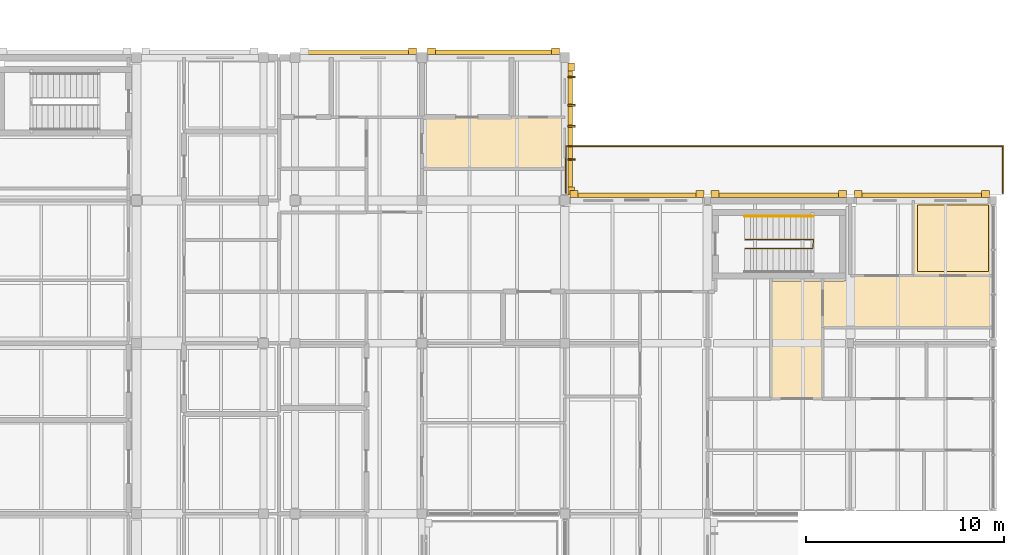
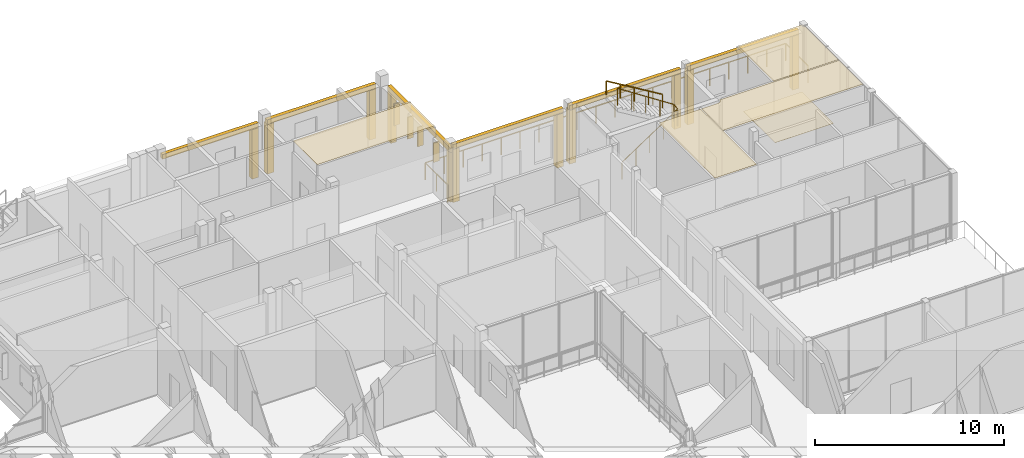
# One storey, part 145 of 146: 22 coverings, 4 shading devices, 3 railings.
"""IFC4 building model written with IfcOpenShell, lengths in metres."""

from ifc_helpers import new_model, si_unit, direction, frame, origin, origin_2d, place, context, subcontext, project, spatial, polyline, rectangle, circle, outline, extrude, material, layer, layer_set, type_object, element, save


model = new_model("IFC4")

# Units and contexts
model_context = context("Model", 3, precision=1e-05, world=origin(), true_north=direction((0.0, 1.0)))
body_context = subcontext(model_context, "Body", "Model", "MODEL_VIEW")
ifc_project = project(units=[si_unit("LENGTHUNIT", "METRE"), si_unit("AREAUNIT", "SQUARE_METRE"), si_unit("VOLUMEUNIT", "CUBIC_METRE"), si_unit("PLANEANGLEUNIT", "RADIAN"), si_unit("MASSUNIT", "GRAM", prefix="KILO")], contexts=[model_context])

# Site, building, storey
site_placement = place(None, origin())
site = spatial("IfcSite", under=ifc_project, at=site_placement, CompositionType="ELEMENT")
building_placement = place(site_placement, origin())
building = spatial("IfcBuilding", under=site, at=building_placement, Name="Hawrajan Terrace Health Centre", CompositionType="ELEMENT")
storey_placement = place(building_placement, frame((0.0, 0.0, 4.5)))
storey = spatial("IfcBuildingStorey", under=building, at=storey_placement, Name="L01", CompositionType="ELEMENT", Elevation=4.5)

# Coverings
ifc_material_1 = material(Name="Precast concrete C40/50", Category="concrete")
ifc_layer_1 = layer(ifc_material_1, 0.219970703125)
ifc_layer_set_1 = layer_set([ifc_layer_1], Name="Precast concrete C40/50")
covering_type_1 = type_object("IfcCoveringType", Name="ArtDecoCorniceBand", PredefinedType="CLADDING", material=ifc_layer_set_1)
covering_1_placement = place(storey_placement, frame((133.39990234375, 60.06005859375, 3.2099609375), z_axis=(0.0, 0.0, 1.0), x_axis=(1.0, 0.0, 0.0)))
element("IfcCovering", 1, at=covering_1_placement, inside=storey, type_object=covering_type_1, Name="Art Deco limestone cornice band CRN-L01-0092", PredefinedType="CLADDING", context=body_context, shape_type="SweptSolid", body=[
    extrude(rectangle(XDim=5.860107421875, YDim=0.219970703125, at=origin_2d()), origin(), (0.0, 0.0, 1.0), 0.300048828125),
])
for number, where, z_axis, x_axis, name in (
    (2, (140.199951171875, 60.070068359375, 3.2099609375), (0.0, 0.0, 1.0), (1.0, 0.0, 0.0), "Art Deco limestone cornice band CRN-L01-0095"),
    (3, (144.070068359375, 56.199951171875, 3.2099609375), (0.0, 0.0, 1.0), (0.0, 1.0, 0.0), "Art Deco limestone cornice band CRN-L01-0096"),
):
    element("IfcCovering", number, at=place(storey_placement, frame(where, z_axis=z_axis, x_axis=x_axis)), inside=storey, type_object=covering_type_1, Name=name, PredefinedType="CLADDING", context=body_context, shape_type="SweptSolid", body=[
        extrude(rectangle(XDim=6.659912109375, YDim=0.219970703125, at=origin_2d()), origin(), (0.0, 0.0, 1.0), 0.300048828125),
    ])
covering_2_placement = place(storey_placement, frame((147.445068359375, 52.8701171875, 3.4501953125), z_axis=(0.0, 0.0, 1.0), x_axis=(1.0, 0.0, 0.0)))
element("IfcCovering", 4, at=covering_2_placement, inside=storey, type_object=covering_type_1, Name="Art Deco limestone cornice band CRN-L01-0099", PredefinedType="CLADDING", context=body_context, shape_type="SweptSolid", body=[
    extrude(rectangle(XDim=6.75, YDim=0.219970703125, at=origin_2d()), origin(), (0.0, 0.0, 1.0), 0.300048828125),
])
for number, where, z_axis, x_axis, name in (
    (5, (154.590087890625, 52.860107421875, 3.48974609375), (0.0, 0.0, 1.0), (1.0, 0.0, 0.0), "Art Deco limestone cornice band CRN-L01-0101"),
    (6, (161.81005859375, 52.8701171875, 3.48974609375), (0.0, 0.0, 1.0), (1.0, 0.0, 0.0), "Art Deco limestone cornice band CRN-L01-0103"),
):
    element("IfcCovering", number, at=place(storey_placement, frame(where, z_axis=z_axis, x_axis=x_axis)), inside=storey, type_object=covering_type_1, Name=name, PredefinedType="CLADDING", context=body_context, shape_type="SweptSolid", body=[
        extrude(rectangle(XDim=6.820068359375, YDim=0.219970703125, at=origin_2d()), origin(), (0.0, 0.0, 1.0), 0.300048828125),
    ])
ifc_layer_2 = layer(ifc_material_1, 0.340087890625)
ifc_layer_set_2 = layer_set([ifc_layer_2], Name="Precast concrete C40/50")
covering_type_2 = type_object("IfcCoveringType", Name="ArtDecoStonePilaster", PredefinedType="CLADDING", material=ifc_layer_set_2)
for number, where, z_axis, x_axis, name in (
    (7, (136.1298828125, 60.1201171875, 0.0), (0.0, 0.0, 1.0), (1.0, 0.0, 0.0), "Art Deco fluted limestone pilaster FPIL-L01-0163"),
    (8, (137.070068359375, 60.1298828125, 0.0), (0.0, 0.0, 1.0), (1.0, 0.0, 0.0), "Art Deco fluted limestone pilaster FPIL-L01-0168"),
    (9, (143.330078125, 60.1298828125, 0.0), (0.0, 0.0, 1.0), (1.0, 0.0, 0.0), "Art Deco fluted limestone pilaster FPIL-L01-0169"),
    (10, (144.1298828125, 53.070068359375, 0.0), (0.0, 0.0, 1.0), (0.0, 1.0, 0.0), "Art Deco fluted limestone pilaster FPIL-L01-0170"),
    (11, (144.1298828125, 59.330078125, 0.0), (0.0, 0.0, 1.0), (0.0, 1.0, 0.0), "Art Deco fluted limestone pilaster FPIL-L01-0171"),
):
    element("IfcCovering", number, at=place(storey_placement, frame(where, z_axis=z_axis, x_axis=x_axis)), inside=storey, type_object=covering_type_2, Name=name, PredefinedType="CLADDING", context=body_context, shape_type="SweptSolid", body=[
        extrude(rectangle(XDim=0.39990234375, YDim=0.340087890625, at=origin_2d()), origin(), (0.0, 0.0, 1.0), 3.199951171875),
    ])
for number, where, z_axis, x_axis, name in (
    (12, (144.27001953125, 52.929931640625, 0.0), (0.0, 0.0, 1.0), (1.0, 0.0, 0.0), "Art Deco fluted limestone pilaster FPIL-L01-0176"),
    (13, (150.6201171875, 52.929931640625, 0.0), (0.0, 0.0, 1.0), (1.0, 0.0, 0.0), "Art Deco fluted limestone pilaster FPIL-L01-0177"),
):
    element("IfcCovering", number, at=place(storey_placement, frame(where, z_axis=z_axis, x_axis=x_axis)), inside=storey, type_object=covering_type_2, Name=name, PredefinedType="CLADDING", context=body_context, shape_type="SweptSolid", body=[
        extrude(rectangle(XDim=0.39990234375, YDim=0.340087890625, at=origin_2d()), origin(), (0.0, 0.0, 1.0), 3.43994140625),
    ])
for number, where, z_axis, x_axis, name in (
    (14, (151.3798828125, 52.919921875, 0.0), (0.0, 0.0, 1.0), (1.0, 0.0, 0.0), "Art Deco fluted limestone pilaster FPIL-L01-0180"),
    (15, (157.800048828125, 52.919921875, 0.0), (0.0, 0.0, 1.0), (1.0, 0.0, 0.0), "Art Deco fluted limestone pilaster FPIL-L01-0181"),
    (16, (158.60009765625, 52.929931640625, 0.0), (0.0, 0.0, 1.0), (1.0, 0.0, 0.0), "Art Deco fluted limestone pilaster FPIL-L01-0184"),
    (17, (165.02001953125, 52.929931640625, 0.0), (0.0, 0.0, 1.0), (1.0, 0.0, 0.0), "Art Deco fluted limestone pilaster FPIL-L01-0185"),
):
    element("IfcCovering", number, at=place(storey_placement, frame(where, z_axis=z_axis, x_axis=x_axis)), inside=storey, type_object=covering_type_2, Name=name, PredefinedType="CLADDING", context=body_context, shape_type="SweptSolid", body=[
        extrude(rectangle(XDim=0.39990234375, YDim=0.340087890625, at=origin_2d()), origin(), (0.0, 0.0, 1.0), 3.47998046875),
    ])
ifc_material_2 = material(Name="Hygienic mineral-fibre acoustic tile ceiling")
ifc_layer_3 = layer(ifc_material_2, 0.02490234375)
ifc_layer_set_3 = layer_set([ifc_layer_3], Name="Hygienic mineral-fibre acoustic tile ceiling")
covering_type_3 = type_object("IfcCoveringType", Name="ClinicalAcousticCeiling_25", PredefinedType="CEILING", material=ifc_layer_set_3)
covering_3_placement = place(storey_placement, frame((0.0, 0.0, 4.155029296875)))
element("IfcCovering", 18, at=covering_3_placement, inside=storey, type_object=covering_type_3, Name="Suspended ceiling L01-045", PredefinedType="CEILING", context=body_context, shape_type="SweptSolid", body=[
    extrude(outline(polyline([(156.780029296875, 42.6201171875), (154.219970703125, 42.6201171875), (154.219970703125, 48.530029296875), (156.780029296875, 48.530029296875), (156.780029296875, 42.6201171875)])), origin(), (0.0, 0.0, 1.0), 0.02490234375),
])
covering_4_placement = place(storey_placement, frame((0.0, 0.0, 4.155029296875)))
element("IfcCovering", 19, at=covering_4_placement, inside=storey, type_object=covering_type_3, Name="Suspended ceiling L01-046", PredefinedType="CEILING", context=body_context, shape_type="SweptSolid", body=[
    extrude(outline(polyline([(165.3798828125, 48.780029296875), (165.3798828125, 46.219970703125), (156.820068359375, 46.219970703125), (156.820068359375, 48.530029296875), (157.800048828125, 48.530029296875), (157.801025390625, 48.530029296875), (157.825439453125, 48.53125), (157.827392578125, 48.531494140625), (157.851806640625, 48.534912109375), (157.853515625, 48.535400390625), (157.87744140625, 48.54150390625), (157.87939453125, 48.5419921875), (157.90234375, 48.55029296875), (157.904296875, 48.551025390625), (157.926513671875, 48.561279296875), (157.927978515625, 48.5625), (157.94921875, 48.574951171875), (157.95068359375, 48.576171875), (157.970458984375, 48.5908203125), (157.971923828125, 48.591796875), (157.990234375, 48.6083984375), (157.99169921875, 48.60986328125), (158.008056640625, 48.6279296875), (158.00927734375, 48.62939453125), (158.02392578125, 48.649169921875), (158.02490234375, 48.65087890625), (158.03759765625, 48.671875), (158.03857421875, 48.673583984375), (158.049072265625, 48.69580078125), (158.0498046875, 48.697509765625), (158.05810546875, 48.720703125), (158.05859375, 48.72265625), (158.064697265625, 48.746337890625), (158.06494140625, 48.748291015625), (158.068603515625, 48.772705078125), (158.06884765625, 48.7744140625), (158.069091796875, 48.780029296875), (165.3798828125, 48.780029296875)])), origin(), (0.0, 0.0, 1.0), 0.02490234375),
])
covering_5_placement = place(storey_placement, frame((0.0, 0.0, 4.155029296875)))
element("IfcCovering", 20, at=covering_5_placement, inside=storey, type_object=covering_type_3, Name="Suspended ceiling L01-055", PredefinedType="CEILING", context=body_context, shape_type="SweptSolid", body=[
    extrude(outline(polyline([(136.6201171875, 56.780029296875), (143.780029296875, 56.780029296875), (143.780029296875, 54.219970703125), (136.6201171875, 54.219970703125), (136.6201171875, 56.780029296875)])), origin(), (0.0, 0.0, 1.0), 0.02490234375),
])
covering_6_placement = place(storey_placement, frame((0.0, 0.0, 4.155029296875)))
element("IfcCovering", 21, at=covering_6_placement, inside=storey, type_object=covering_type_3, Name="Suspended ceiling L01-195", PredefinedType="CEILING", context=body_context, shape_type="SweptSolid", body=[
    extrude(outline(polyline([(161.395263671875, 52.580078125), (165.3798828125, 52.580078125), (165.3798828125, 48.820068359375), (161.395263671875, 48.820068359375), (161.395263671875, 52.580078125)])), origin(), (0.0, 0.0, 1.0), 0.02490234375),
])
ifc_material_3 = material(Name="Seamless medical-grade cushioned vinyl flooring")
ifc_layer_4 = layer(ifc_material_3, 0.011962890625)
ifc_layer_set_4 = layer_set([ifc_layer_4], Name="Seamless medical-grade cushioned vinyl flooring")
covering_type_4 = type_object("IfcCoveringType", Name="ClinicalVinylFlooring_12", PredefinedType="FLOORING", material=ifc_layer_set_4)
covering_7_placement = place(storey_placement, origin())
element("IfcCovering", 22, at=covering_7_placement, inside=storey, type_object=covering_type_4, Name="Floor finish L01-195", PredefinedType="FLOORING", context=body_context, shape_type="SweptSolid", body=[
    extrude(outline(polyline([(161.59521484375, 52.3798828125), (165.179931640625, 52.3798828125), (165.179931640625, 49.02001953125), (161.59521484375, 49.02001953125), (161.59521484375, 52.3798828125)])), origin(), (0.0, 0.0, 1.0), 0.011962890625),
])

# Shading devices
ifc_material_4 = material(Name="Anodized bronze mashrabiya vertical solar fin")
ifc_layer_5 = layer(ifc_material_4, 0.080078125)
ifc_layer_set_5 = layer_set([ifc_layer_5], Name="Anodized bronze mashrabiya vertical solar fin")
shading_device_type = type_object("IfcShadingDeviceType", Name="MashrabiyaVerticalFin", PredefinedType="USERDEFINED", material=ifc_layer_set_5)
for number, where, z_axis, x_axis, name in (
    (23, (144.139892578125, 54.659912109375, 1.5), (0.0, 0.0, 1.0), (0.0, 1.0, 0.0), "Bronze mashrabiya solar fin FIN-L01-0116"),
    (24, (144.139892578125, 56.340087890625, 1.5), (0.0, 0.0, 1.0), (0.0, 1.0, 0.0), "Bronze mashrabiya solar fin FIN-L01-0117"),
):
    element("IfcShadingDevice", number, at=place(storey_placement, frame(where, z_axis=z_axis, x_axis=x_axis)), inside=storey, type_object=shading_device_type, Name=name, ObjectType="SOLAR_FIN", PredefinedType="USERDEFINED", context=body_context, shape_type="SweptSolid", body=[
        extrude(rectangle(XDim=0.080078125, YDim=0.360107421875, at=origin_2d()), origin(), (0.0, 0.0, 1.0), 1.25),
    ])
for number, where, z_axis, x_axis, name in (
    (25, (144.139892578125, 57.39990234375, 1.35009765625), (0.0, 0.0, 1.0), (0.0, 1.0, 0.0), "Bronze mashrabiya solar fin FIN-L01-0118"),
    (26, (144.139892578125, 58.830078125, 1.35009765625), (0.0, 0.0, 1.0), (0.0, 1.0, 0.0), "Bronze mashrabiya solar fin FIN-L01-0119"),
):
    element("IfcShadingDevice", number, at=place(storey_placement, frame(where, z_axis=z_axis, x_axis=x_axis)), inside=storey, type_object=shading_device_type, Name=name, ObjectType="SOLAR_FIN", PredefinedType="USERDEFINED", context=body_context, shape_type="SweptSolid", body=[
        extrude(rectangle(XDim=0.080078125, YDim=0.360107421875, at=origin_2d()), origin(), (0.0, 0.0, 1.0), 1.39990234375),
    ])

# Railings
ifc_material_5 = material(Name="Brushed stainless steel tubular handrail", Category="steel")
railing_type_1 = type_object("IfcRailingType", Name="StairHandrail_900", PredefinedType="HANDRAIL", material=ifc_material_5)
railing_1_placement = place(storey_placement, frame((156.324951171875, 51.800048828125, 2.423095703125)))
element("IfcRailing", 27, at=railing_1_placement, inside=storey, type_object=railing_type_1, Name="Stair handrail ST-9-L01-H2", PredefinedType="HANDRAIL", context=body_context, shape_type="SweptSolid", body=[
    extrude(circle(Radius=0.02392578125, at=origin_2d()), frame((-0.024658203125, 0.0, 0.890625), z_axis=(-0.856732359591, 0.0, 0.515761247119), x_axis=(0.0, -1.0, 0.0)), (0.0, 0.0, 1.0), 3.96923828125),
    extrude(circle(Radius=0.02099609375, at=origin_2d()), origin(), (0.0, 0.0, 1.0), 0.846923828125),
    extrude(circle(Radius=0.02099609375, at=origin_2d()), frame((-0.862548828125, 0.0, 0.519287109375)), (0.0, 0.0, 1.0), 0.846923828125),
    extrude(circle(Radius=0.02099609375, at=origin_2d()), frame((-1.72509765625, 0.0, 1.03857421875)), (0.0, 0.0, 1.0), 0.846923828125),
    extrude(circle(Radius=0.02099609375, at=origin_2d()), frame((-2.58740234375, 0.0, 1.5576171875)), (0.0, 0.0, 1.0), 0.846923828125),
    extrude(circle(Radius=0.02099609375, at=origin_2d()), frame((-3.449951171875, 0.0, 2.076904296875)), (0.0, 0.0, 1.0), 0.846923828125),
])
ifc_material_6 = material(Name="Painted steel stair well guard", Category="steel")
railing_type_2 = type_object("IfcRailingType", Name="StairWellGuard_1120", PredefinedType="GUARDRAIL", material=ifc_material_6)
railing_2_placement = place(storey_placement, frame((152.89990234375, 50.169921875, 0.0)))
element("IfcRailing", 28, at=railing_2_placement, inside=storey, type_object=railing_type_2, Name="Stair well guard ST-9-L01-G1", PredefinedType="GUARDRAIL", context=body_context, shape_type="SweptSolid", body=[
    extrude(circle(Radius=0.02392578125, at=origin_2d()), frame((0.024169921875, 0.0, 1.112060546875), z_axis=(0.833943147616, 0.0, 0.551850366082), x_axis=(0.0, 1.0, 0.0)), (0.0, 0.0, 1.0), 4.01953125),
    extrude(circle(Radius=0.02392578125, at=origin_2d()), frame((3.4033203125, 0.02880859375, 3.34619140625), z_axis=(0.108172551692, 0.994132133602, 0.0), x_axis=(-0.994132133602, 0.108172551692, 0.0)), (0.0, 0.0, 1.0), 0.405029296875),
    extrude(circle(Radius=0.02392578125, at=origin_2d()), frame((3.426025390625, 0.4599609375, 3.36181640625), z_axis=(-0.837624746251, 0.0, 0.546246084167), x_axis=(0.0, -1.0, 0.0)), (0.0, 0.0, 1.0), 4.061279296875),
    extrude(circle(Radius=0.02099609375, at=origin_2d()), origin(), (0.0, 0.0, 1.0), 1.067138671875),
    extrude(circle(Radius=0.02099609375, at=origin_2d()), frame((0.85009765625, 0.0, 0.5625)), (0.0, 0.0, 1.0), 1.067138671875),
    extrude(circle(Radius=0.02099609375, at=origin_2d()), frame((1.7001953125, 0.0, 1.125)), (0.0, 0.0, 1.0), 1.067138671875),
    extrude(circle(Radius=0.02099609375, at=origin_2d()), frame((2.550048828125, 0.0, 1.6875)), (0.0, 0.0, 1.0), 1.067138671875),
    extrude(circle(Radius=0.02099609375, at=origin_2d()), frame((3.400146484375, 0.0, 2.25)), (0.0, 0.0, 1.0), 1.067138671875),
    extrude(circle(Radius=0.02099609375, at=origin_2d()), frame((3.4501953125, 0.4599609375, 2.25)), (0.0, 0.0, 1.0), 1.067138671875),
    extrude(circle(Radius=0.02099609375, at=origin_2d()), frame((2.587646484375, 0.4599609375, 2.8125)), (0.0, 0.0, 1.0), 1.067138671875),
    extrude(circle(Radius=0.02099609375, at=origin_2d()), frame((1.72509765625, 0.4599609375, 3.375)), (0.0, 0.0, 1.0), 1.067138671875),
    extrude(circle(Radius=0.02099609375, at=origin_2d()), frame((0.862548828125, 0.4599609375, 3.9375)), (0.0, 0.0, 1.0), 1.067138671875),
    extrude(circle(Radius=0.02099609375, at=origin_2d()), frame((0.0, 0.4599609375, 4.5)), (0.0, 0.0, 1.0), 1.067138671875),
])
ifc_material_7 = material(Name="Anodized bronze post and balustrade guard")
railing_type_3 = type_object("IfcRailingType", Name="TerraceGuard_1120", PredefinedType="GUARDRAIL", material=ifc_material_7)
railing_3_placement = place(storey_placement, frame((143.860107421875, 52.969970703125, 0.0)))
element("IfcRailing", 29, at=railing_3_placement, inside=storey, type_object=railing_type_3, Name="Terrace apron guard GR-AP-EN-ALL", PredefinedType="GUARDRAIL", context=body_context, shape_type="SweptSolid", body=[
    extrude(circle(Radius=0.02392578125, at=origin_2d()), frame((0.0, 0.02880859375, 1.09619140625), z_axis=(0.0, 1.0, 0.0), x_axis=(-1.0, 0.0, 0.0)), (0.0, 0.0, 1.0), 2.3125),
    extrude(circle(Radius=0.02392578125, at=origin_2d()), frame((0.02880859375, 2.3701171875, 1.09619140625), z_axis=(1.0, 0.0, 0.0), x_axis=(0.0, 1.0, 0.0)), (0.0, 0.0, 1.0), 21.97216796875),
    extrude(circle(Radius=0.02392578125, at=origin_2d()), frame((22.02978515625, 2.34130859375, 1.09619140625), z_axis=(0.0, -1.0, 0.0), x_axis=(1.0, 0.0, 0.0)), (0.0, 0.0, 1.0), 2.3125),
    extrude(circle(Radius=0.02099609375, at=origin_2d()), origin(), (0.0, 0.0, 1.0), 1.067138671875),
    extrude(circle(Radius=0.02099609375, at=origin_2d()), frame((0.0, 1.18505859375, 0.0)), (0.0, 0.0, 1.0), 1.067138671875),
    extrude(circle(Radius=0.02099609375, at=origin_2d()), frame((0.0, 2.3701171875, 0.0)), (0.0, 0.0, 1.0), 1.067138671875),
    extrude(circle(Radius=0.02099609375, at=origin_2d()), frame((1.159423828125, 2.3701171875, 0.0)), (0.0, 0.0, 1.0), 1.067138671875),
    extrude(circle(Radius=0.02099609375, at=origin_2d()), frame((2.31884765625, 2.3701171875, 0.0)), (0.0, 0.0, 1.0), 1.067138671875),
    extrude(circle(Radius=0.02099609375, at=origin_2d()), frame((3.478271484375, 2.3701171875, 0.0)), (0.0, 0.0, 1.0), 1.067138671875),
    extrude(circle(Radius=0.02099609375, at=origin_2d()), frame((4.637939453125, 2.3701171875, 0.0)), (0.0, 0.0, 1.0), 1.067138671875),
    extrude(circle(Radius=0.02099609375, at=origin_2d()), frame((5.79736328125, 2.3701171875, 0.0)), (0.0, 0.0, 1.0), 1.067138671875),
    extrude(circle(Radius=0.02099609375, at=origin_2d()), frame((6.956787109375, 2.3701171875, 0.0)), (0.0, 0.0, 1.0), 1.067138671875),
    extrude(circle(Radius=0.02099609375, at=origin_2d()), frame((8.1162109375, 2.3701171875, 0.0)), (0.0, 0.0, 1.0), 1.067138671875),
    extrude(circle(Radius=0.02099609375, at=origin_2d()), frame((9.275634765625, 2.3701171875, 0.0)), (0.0, 0.0, 1.0), 1.067138671875),
    extrude(circle(Radius=0.02099609375, at=origin_2d()), frame((10.43505859375, 2.3701171875, 0.0)), (0.0, 0.0, 1.0), 1.067138671875),
    extrude(circle(Radius=0.02099609375, at=origin_2d()), frame((11.5947265625, 2.3701171875, 0.0)), (0.0, 0.0, 1.0), 1.067138671875),
    extrude(circle(Radius=0.02099609375, at=origin_2d()), frame((12.754150390625, 2.3701171875, 0.0)), (0.0, 0.0, 1.0), 1.067138671875),
    extrude(circle(Radius=0.02099609375, at=origin_2d()), frame((13.91357421875, 2.3701171875, 0.0)), (0.0, 0.0, 1.0), 1.067138671875),
    extrude(circle(Radius=0.02099609375, at=origin_2d()), frame((15.072998046875, 2.3701171875, 0.0)), (0.0, 0.0, 1.0), 1.067138671875),
    extrude(circle(Radius=0.02099609375, at=origin_2d()), frame((16.232421875, 2.3701171875, 0.0)), (0.0, 0.0, 1.0), 1.067138671875),
    extrude(circle(Radius=0.02099609375, at=origin_2d()), frame((17.391845703125, 2.3701171875, 0.0)), (0.0, 0.0, 1.0), 1.067138671875),
    extrude(circle(Radius=0.02099609375, at=origin_2d()), frame((18.551513671875, 2.3701171875, 0.0)), (0.0, 0.0, 1.0), 1.067138671875),
    extrude(circle(Radius=0.02099609375, at=origin_2d()), frame((19.7109375, 2.3701171875, 0.0)), (0.0, 0.0, 1.0), 1.067138671875),
    extrude(circle(Radius=0.02099609375, at=origin_2d()), frame((20.870361328125, 2.3701171875, 0.0)), (0.0, 0.0, 1.0), 1.067138671875),
    extrude(circle(Radius=0.02099609375, at=origin_2d()), frame((22.02978515625, 2.3701171875, 0.0)), (0.0, 0.0, 1.0), 1.067138671875),
    extrude(circle(Radius=0.02099609375, at=origin_2d()), frame((22.02978515625, 1.18505859375, 0.0)), (0.0, 0.0, 1.0), 1.067138671875),
    extrude(circle(Radius=0.02099609375, at=origin_2d()), frame((22.02978515625, 0.0, 0.0)), (0.0, 0.0, 1.0), 1.067138671875),
])

save(model, "model.ifc")
